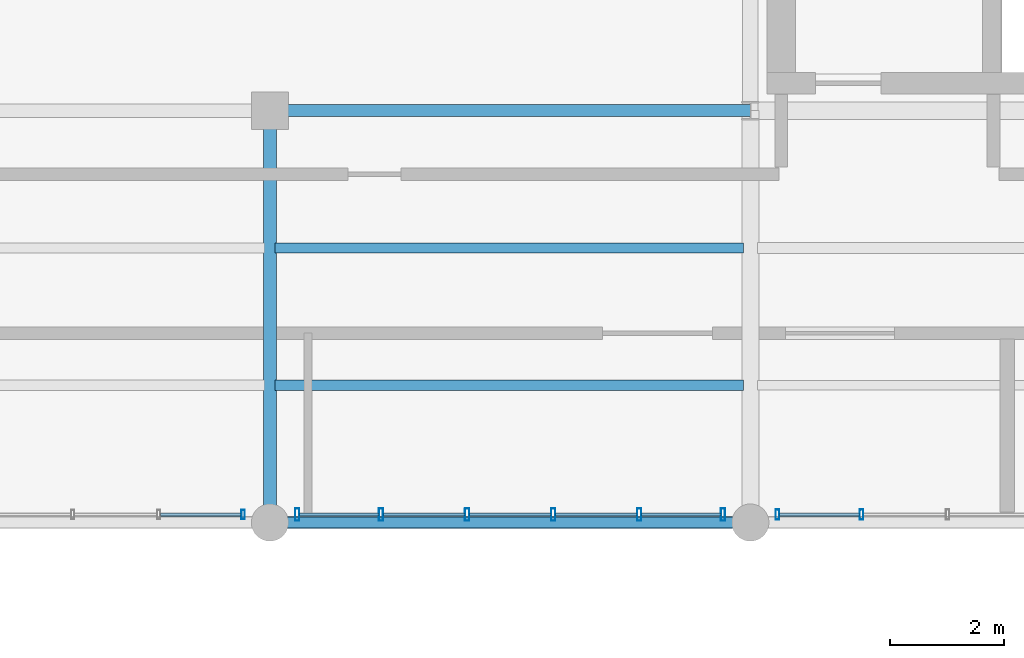
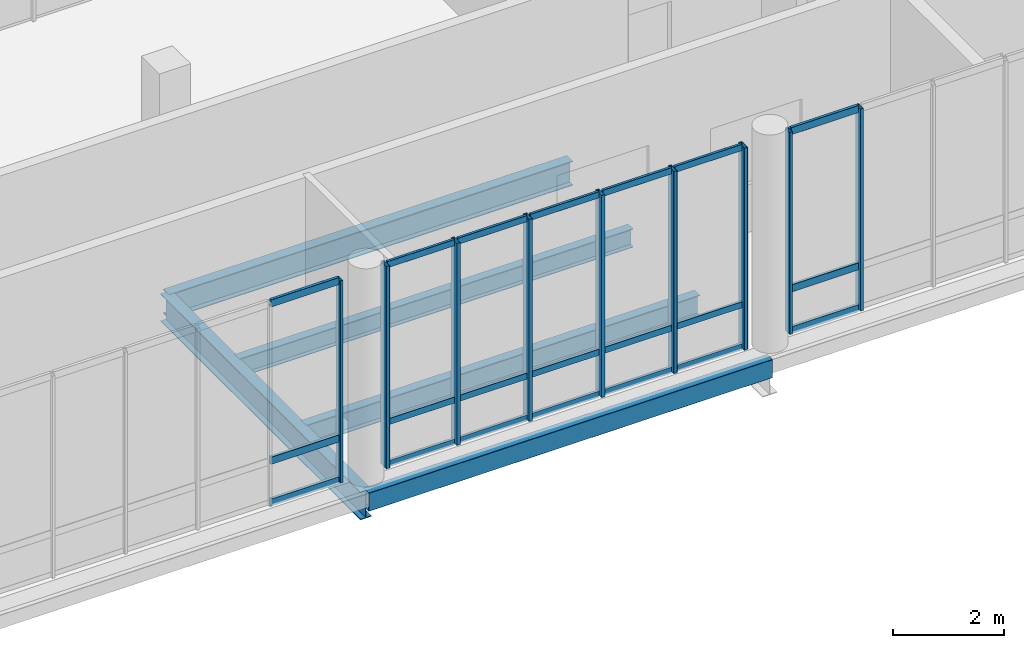
# One storey, part 31 of 81: 30 members, 5 beams, 3 elements without a shape of their own.
"""IFC4 building model written with IfcOpenShell, lengths in metres."""

from ifc_helpers import new_model, si_unit, direction, frame, origin_with_axes, origin_2d_with_axis, place, context, subcontext, project, spatial, hollow_rectangle, i_section, extrude, material, material_profile, profile_set, type_object, element, aggregate, save


model = new_model("IFC4")

# Units and contexts
model_context = context("Model", 3, precision=1e-05, world=origin_with_axes(), true_north=direction((0.0, 1.0)))
body_context = subcontext(model_context, "Body", "Model", "MODEL_VIEW")
ifc_project = project(units=[si_unit("LENGTHUNIT", "METRE"), si_unit("AREAUNIT", "SQUARE_METRE"), si_unit("VOLUMEUNIT", "CUBIC_METRE"), si_unit("PLANEANGLEUNIT", "RADIAN"), si_unit("MASSUNIT", "GRAM", prefix="KILO"), si_unit("THERMODYNAMICTEMPERATUREUNIT", "KELVIN")], contexts=[model_context])

# Site, building, storey
site_placement = place(None, origin_with_axes())
site = spatial("IfcSite", under=ifc_project, at=site_placement, CompositionType="ELEMENT")
building_placement = place(site_placement, origin_with_axes())
building = spatial("IfcBuilding", under=site, at=building_placement, Name="Montbau Bow Law Courts", CompositionType="ELEMENT")
storey_placement = place(building_placement, frame((0.0, 0.0, 24.9), z_axis=(0.0, 0.0, 1.0), x_axis=(1.0, 0.0, 0.0)))
storey = spatial("IfcBuildingStorey", under=building, at=storey_placement, Name="L05", CompositionType="ELEMENT", Elevation=24.9)

# Beams
ifc_material_1 = material(Name="Steel CSA G40.21 Grade 350W (350 MPa)", Category="steel")
ifc_material_profile_1 = material_profile(ifc_material_1, i_section(OverallWidth=0.229, OverallDepth=0.612, WebThickness=0.0119, FlangeThickness=0.0196, at=origin_2d_with_axis()), Name="W610X125", Category="Main", Priority=0)
ifc_profile_set_1 = profile_set([ifc_material_profile_1], Name="Steel CSA G40.21 Grade 350W (350 MPa)")
beam_type_1 = type_object("IfcBeamType", Name="B-FLR-05", PredefinedType="BEAM", material=ifc_profile_set_1)
beam_1_placement = place(None, frame((72.0, 39.0, 24.294), z_axis=(0.0, 1.0, 0.0), x_axis=(-1.0, 0.0, 0.0)))
element("IfcBeam", 1, at=beam_1_placement, inside=storey, type_object=beam_type_1, Name="BM-L05-S0986:bm2_0989", PredefinedType="BEAM", context=body_context, shape_type="SweptSolid", body=[
    extrude(i_section(OverallWidth=0.229, OverallDepth=0.612, WebThickness=0.0119, FlangeThickness=0.0196, at=origin_2d_with_axis()), origin_with_axes(), (0.0, 0.0, 1.0), 7.2),
])
ifc_material_profile_2 = material_profile(ifc_material_1, i_section(OverallWidth=0.21, OverallDepth=0.537, WebThickness=0.0109, FlangeThickness=0.0174, at=origin_2d_with_axis()), Name="W530X101", Category="Main", Priority=0)
ifc_profile_set_2 = profile_set([ifc_material_profile_2], Name="Steel CSA G40.21 Grade 350W (350 MPa)")
beam_type_2 = type_object("IfcBeamType", Name="B-FLR-06", PredefinedType="BEAM", material=ifc_profile_set_2)
beam_2_placement = place(None, frame((72.0, 46.2, 24.332), z_axis=(1.0, 0.0, 0.0), x_axis=(0.0, 1.0, 0.0)))
element("IfcBeam", 2, at=beam_2_placement, inside=storey, type_object=beam_type_2, Name="BM-L05-S0965:bm2_0968", PredefinedType="BEAM", context=body_context, shape_type="SweptSolid", body=[
    extrude(i_section(OverallWidth=0.21, OverallDepth=0.537, WebThickness=0.0109, FlangeThickness=0.0174, at=origin_2d_with_axis()), origin_with_axes(), (0.0, 0.0, 1.0), 8.4),
])
ifc_material_profile_3 = material_profile(ifc_material_1, i_section(OverallWidth=0.191, OverallDepth=0.46, WebThickness=0.0099, FlangeThickness=0.016, at=origin_2d_with_axis()), Name="W460X82", Category="Main", Priority=0)
ifc_profile_set_3 = profile_set([ifc_material_profile_3], Name="Steel CSA G40.21 Grade 350W (350 MPa)")
beam_type_3 = type_object("IfcBeamType", Name="B-JST-01", PredefinedType="JOIST", material=ifc_profile_set_3)
beam_3_placement = place(None, frame((72.091, 41.4, 24.37), z_axis=(1.0, 0.0, 0.0), x_axis=(0.0, 1.0, 0.0)))
element("IfcBeam", 3, at=beam_3_placement, inside=storey, type_object=beam_type_3, Name="JST-L05-S0500:jst2_0500", PredefinedType="JOIST", context=body_context, shape_type="SweptSolid", body=[
    extrude(i_section(OverallWidth=0.191, OverallDepth=0.46, WebThickness=0.0099, FlangeThickness=0.016, at=origin_2d_with_axis()), origin_with_axes(), (0.0, 0.0, 1.0), 8.187),
])
ifc_material_profile_4 = material_profile(ifc_material_1, i_section(OverallWidth=0.179, OverallDepth=0.41, WebThickness=0.0088, FlangeThickness=0.0144, at=origin_2d_with_axis()), Name="W410X67", Category="Main", Priority=0)
ifc_profile_set_4 = profile_set([ifc_material_profile_4], Name="Steel CSA G40.21 Grade 350W (350 MPa)")
beam_type_4 = type_object("IfcBeamType", Name="B-JST-02", PredefinedType="JOIST", material=ifc_profile_set_4)
beam_4_placement = place(None, frame((72.091, 43.8, 24.395), z_axis=(1.0, 0.0, 0.0), x_axis=(0.0, 1.0, 0.0)))
element("IfcBeam", 4, at=beam_4_placement, inside=storey, type_object=beam_type_4, Name="JST-L05-S0501:jst2_0501", PredefinedType="JOIST", context=body_context, shape_type="SweptSolid", body=[
    extrude(i_section(OverallWidth=0.179, OverallDepth=0.41, WebThickness=0.0088, FlangeThickness=0.0144, at=origin_2d_with_axis()), origin_with_axes(), (0.0, 0.0, 1.0), 8.187),
])
ifc_material_2 = material(Name="Steel CSA G40.21 Grade 350WT (350 MPa)", Category="steel")
ifc_material_profile_5 = material_profile(ifc_material_2, hollow_rectangle(XDim=0.203, YDim=0.406, WallThickness=0.0127, InnerFilletRadius=0.0254, OuterFilletRadius=0.0127, at=origin_2d_with_axis()), Name="HSS406X203X13", Category="Main", Priority=0)
ifc_profile_set_5 = profile_set([ifc_material_profile_5], Name="Steel CSA G40.21 Grade 350WT (350 MPa)")
beam_type_5 = type_object("IfcBeamType", Name="B-SPN-01", PredefinedType="SPANDREL", material=ifc_profile_set_5)
beam_5_placement = place(None, frame((72.0, 39.0, 24.397), z_axis=(1.0, 0.0, 0.0), x_axis=(0.0, 1.0, 0.0)))
element("IfcBeam", 5, at=beam_5_placement, inside=storey, type_object=beam_type_5, Name="SPN-L05-S0959:bm2_0962", PredefinedType="SPANDREL", context=body_context, shape_type="SweptSolid", body=[
    extrude(hollow_rectangle(XDim=0.203, YDim=0.406, WallThickness=0.0127, InnerFilletRadius=0.0254, OuterFilletRadius=0.0127, at=origin_2d_with_axis()), origin_with_axes(), (0.0, 0.0, 1.0), 8.4),
])

# Curtain wall, members
ifc_material_3 = material(Name="Thermally Broken Extruded Aluminium AA 6063-T6", Category="aluminium")
curtain_wall_type = type_object("IfcCurtainWallType", Name="CW-NCK-02", PredefinedType="NOTDEFINED", material=ifc_material_3)
curtain_wall_1_placement = place(None, frame((72.44, 39.14, 24.9), z_axis=(0.0, 0.0, 1.0), x_axis=(1.0, 0.0, 0.0)))
curtain_wall_1 = element("IfcCurtainWall", 6, at=curtain_wall_1_placement, inside=storey, type_object=curtain_wall_type, Name="CW-L05-213:cw_0213", PredefinedType="NOTDEFINED")
ifc_material_profile_6 = material_profile(ifc_material_3, hollow_rectangle(XDim=0.075, YDim=0.22, WallThickness=0.005, InnerFilletRadius=0.01, OuterFilletRadius=0.005, at=origin_2d_with_axis()), Name="CWM-220X75", Category="Main", Priority=0)
ifc_profile_set_6 = profile_set([ifc_material_profile_6], Name="Thermally Broken Extruded Aluminium AA 6063-T6")
member_type_1 = type_object("IfcMemberType", Name="M-MUL-01", PredefinedType="MULLION", material=ifc_profile_set_6)
member_1_placement = place(None, frame((72.477, 39.14, 24.9), z_axis=(0.0, 0.0, 1.0), x_axis=(1.0, 0.0, 0.0)))
member_1 = element("IfcMember", 7, at=member_1_placement, type_object=member_type_1, Name="CW-L05-213-M01:cw_0213_M01", PredefinedType="MULLION", context=body_context, shape_type="SweptSolid", body=[
    extrude(hollow_rectangle(XDim=0.075, YDim=0.22, WallThickness=0.005, InnerFilletRadius=0.01, OuterFilletRadius=0.005, at=origin_2d_with_axis()), origin_with_axes(), (0.0, 0.0, 1.0), 4.44),
])
member_2_placement = place(None, frame((73.944, 39.14, 24.9), z_axis=(0.0, 0.0, 1.0), x_axis=(1.0, 0.0, 0.0)))
member_2 = element("IfcMember", 8, at=member_2_placement, type_object=member_type_1, Name="CW-L05-213-M02:cw_0213_M02", PredefinedType="MULLION", context=body_context, shape_type="SweptSolid", body=[
    extrude(hollow_rectangle(XDim=0.075, YDim=0.22, WallThickness=0.005, InnerFilletRadius=0.01, OuterFilletRadius=0.005, at=origin_2d_with_axis()), origin_with_axes(), (0.0, 0.0, 1.0), 4.44),
])
member_3_placement = place(None, frame((75.448, 39.14, 24.9), z_axis=(0.0, 0.0, 1.0), x_axis=(1.0, 0.0, 0.0)))
member_3 = element("IfcMember", 9, at=member_3_placement, type_object=member_type_1, Name="CW-L05-213-M03:cw_0213_M03", PredefinedType="MULLION", context=body_context, shape_type="SweptSolid", body=[
    extrude(hollow_rectangle(XDim=0.075, YDim=0.22, WallThickness=0.005, InnerFilletRadius=0.01, OuterFilletRadius=0.005, at=origin_2d_with_axis()), origin_with_axes(), (0.0, 0.0, 1.0), 4.44),
])
member_4_placement = place(None, frame((76.952, 39.14, 24.9), z_axis=(0.0, 0.0, 1.0), x_axis=(1.0, 0.0, 0.0)))
member_4 = element("IfcMember", 10, at=member_4_placement, type_object=member_type_1, Name="CW-L05-213-M04:cw_0213_M04", PredefinedType="MULLION", context=body_context, shape_type="SweptSolid", body=[
    extrude(hollow_rectangle(XDim=0.075, YDim=0.22, WallThickness=0.005, InnerFilletRadius=0.01, OuterFilletRadius=0.005, at=origin_2d_with_axis()), origin_with_axes(), (0.0, 0.0, 1.0), 4.44),
])
member_5_placement = place(None, frame((78.456, 39.14, 24.9), z_axis=(0.0, 0.0, 1.0), x_axis=(1.0, 0.0, 0.0)))
member_5 = element("IfcMember", 11, at=member_5_placement, type_object=member_type_1, Name="CW-L05-213-M05:cw_0213_M05", PredefinedType="MULLION", context=body_context, shape_type="SweptSolid", body=[
    extrude(hollow_rectangle(XDim=0.075, YDim=0.22, WallThickness=0.005, InnerFilletRadius=0.01, OuterFilletRadius=0.005, at=origin_2d_with_axis()), origin_with_axes(), (0.0, 0.0, 1.0), 4.44),
])
member_6_placement = place(None, frame((79.922, 39.14, 24.9), z_axis=(0.0, 0.0, 1.0), x_axis=(1.0, 0.0, 0.0)))
member_6 = element("IfcMember", 12, at=member_6_placement, type_object=member_type_1, Name="CW-L05-213-M06:cw_0213_M06", PredefinedType="MULLION", context=body_context, shape_type="SweptSolid", body=[
    extrude(hollow_rectangle(XDim=0.075, YDim=0.22, WallThickness=0.005, InnerFilletRadius=0.01, OuterFilletRadius=0.005, at=origin_2d_with_axis()), origin_with_axes(), (0.0, 0.0, 1.0), 4.44),
])

curtain_wall_2_placement = place(None, frame((80.84, 39.14, 24.9), z_axis=(0.0, 0.0, 1.0), x_axis=(1.0, 0.0, 0.0)))
curtain_wall_2 = element("IfcCurtainWall", 13, at=curtain_wall_2_placement, inside=storey, type_object=curtain_wall_type, Name="CW-L05-214:cw_0214", PredefinedType="NOTDEFINED")
ifc_material_profile_7 = material_profile(ifc_material_3, hollow_rectangle(XDim=0.065, YDim=0.18, WallThickness=0.005, InnerFilletRadius=0.01, OuterFilletRadius=0.005, at=origin_2d_with_axis()), Name="CWM-180X65", Category="Main", Priority=0)
ifc_profile_set_7 = profile_set([ifc_material_profile_7], Name="Thermally Broken Extruded Aluminium AA 6063-T6")
member_type_2 = type_object("IfcMemberType", Name="M-MUL-02", PredefinedType="MULLION", material=ifc_profile_set_7)
member_7_placement = place(None, frame((80.873, 39.14, 24.9), z_axis=(0.0, 0.0, 1.0), x_axis=(1.0, 0.0, 0.0)))
member_7 = element("IfcMember", 14, at=member_7_placement, type_object=member_type_2, Name="CW-L05-214-M01:cw_0214_M01", PredefinedType="MULLION", context=body_context, shape_type="SweptSolid", body=[
    extrude(hollow_rectangle(XDim=0.065, YDim=0.18, WallThickness=0.005, InnerFilletRadius=0.01, OuterFilletRadius=0.005, at=origin_2d_with_axis()), origin_with_axes(), (0.0, 0.0, 1.0), 4.44),
])
member_8_placement = place(None, frame((82.344, 39.14, 24.9), z_axis=(0.0, 0.0, 1.0), x_axis=(1.0, 0.0, 0.0)))
member_8 = element("IfcMember", 15, at=member_8_placement, type_object=member_type_2, Name="CW-L05-214-M02:cw_0214_M02", PredefinedType="MULLION", context=body_context, shape_type="SweptSolid", body=[
    extrude(hollow_rectangle(XDim=0.065, YDim=0.18, WallThickness=0.005, InnerFilletRadius=0.01, OuterFilletRadius=0.005, at=origin_2d_with_axis()), origin_with_axes(), (0.0, 0.0, 1.0), 4.44),
])

curtain_wall_3_placement = place(None, frame((64.04, 39.14, 24.9), z_axis=(0.0, 0.0, 1.0), x_axis=(1.0, 0.0, 0.0)))
curtain_wall_3 = element("IfcCurtainWall", 16, at=curtain_wall_3_placement, inside=storey, type_object=curtain_wall_type, Name="CW-L05-212:cw_0212", PredefinedType="NOTDEFINED")
ifc_material_profile_8 = material_profile(ifc_material_3, hollow_rectangle(XDim=0.06, YDim=0.16, WallThickness=0.004, InnerFilletRadius=0.008, OuterFilletRadius=0.004, at=origin_2d_with_axis()), Name="CWM-160X60", Category="Main", Priority=0)
ifc_profile_set_8 = profile_set([ifc_material_profile_8], Name="Thermally Broken Extruded Aluminium AA 6063-T6")
member_type_3 = type_object("IfcMemberType", Name="M-MUL-03", PredefinedType="MULLION", material=ifc_profile_set_8)
member_9_placement = place(None, frame((71.53, 39.14, 24.9), z_axis=(0.0, 0.0, 1.0), x_axis=(1.0, 0.0, 0.0)))
member_9 = element("IfcMember", 17, at=member_9_placement, type_object=member_type_3, Name="CW-L05-212-M06:cw_0212_M06", PredefinedType="MULLION", context=body_context, shape_type="SweptSolid", body=[
    extrude(hollow_rectangle(XDim=0.06, YDim=0.16, WallThickness=0.004, InnerFilletRadius=0.008, OuterFilletRadius=0.004, at=origin_2d_with_axis()), origin_with_axes(), (0.0, 0.0, 1.0), 4.44),
])
ifc_material_profile_9 = material_profile(ifc_material_3, hollow_rectangle(XDim=0.06, YDim=0.16, WallThickness=0.004, InnerFilletRadius=0.008, OuterFilletRadius=0.004, at=origin_2d_with_axis()), Name="CWT-160X60", Category="Main", Priority=0)
ifc_profile_set_9 = profile_set([ifc_material_profile_9], Name="Thermally Broken Extruded Aluminium AA 6063-T6")
member_type_4 = type_object("IfcMemberType", Name="M-TRN-01", PredefinedType="USERDEFINED", material=ifc_profile_set_9)
member_10_placement = place(None, frame((70.088, 39.14, 24.93), z_axis=(1.0, 0.0, 0.0), x_axis=(0.0, 1.0, 0.0)))
member_10 = element("IfcMember", 18, at=member_10_placement, type_object=member_type_4, Name="CW-L05-212-T05-1:cw_0212_T05_1", ObjectType="TRANSOM", PredefinedType="USERDEFINED", context=body_context, shape_type="SweptSolid", body=[
    extrude(hollow_rectangle(XDim=0.06, YDim=0.16, WallThickness=0.004, InnerFilletRadius=0.008, OuterFilletRadius=0.004, at=origin_2d_with_axis()), origin_with_axes(), (0.0, 0.0, 1.0), 1.41),
])
member_11_placement = place(None, frame((70.088, 39.14, 25.85), z_axis=(1.0, 0.0, 0.0), x_axis=(0.0, 1.0, 0.0)))
member_11 = element("IfcMember", 19, at=member_11_placement, type_object=member_type_4, Name="CW-L05-212-T05-2:cw_0212_T05_2", ObjectType="TRANSOM", PredefinedType="USERDEFINED", context=body_context, shape_type="SweptSolid", body=[
    extrude(hollow_rectangle(XDim=0.06, YDim=0.16, WallThickness=0.004, InnerFilletRadius=0.008, OuterFilletRadius=0.004, at=origin_2d_with_axis()), origin_with_axes(), (0.0, 0.0, 1.0), 1.41),
])
member_12_placement = place(None, frame((70.088, 39.14, 29.31), z_axis=(1.0, 0.0, 0.0), x_axis=(0.0, 1.0, 0.0)))
member_12 = element("IfcMember", 20, at=member_12_placement, type_object=member_type_4, Name="CW-L05-212-T05-3:cw_0212_T05_3", ObjectType="TRANSOM", PredefinedType="USERDEFINED", context=body_context, shape_type="SweptSolid", body=[
    extrude(hollow_rectangle(XDim=0.06, YDim=0.16, WallThickness=0.004, InnerFilletRadius=0.008, OuterFilletRadius=0.004, at=origin_2d_with_axis()), origin_with_axes(), (0.0, 0.0, 1.0), 1.41),
])
aggregate(curtain_wall_3, [member_9, member_10, member_11, member_12])

# Member
member_13_placement = place(None, frame((80.908, 39.14, 24.93), z_axis=(1.0, 0.0, 0.0), x_axis=(0.0, 1.0, 0.0)))
member_13 = element("IfcMember", 21, at=member_13_placement, type_object=member_type_4, Name="CW-L05-214-T01-1:cw_0214_T01_1", ObjectType="TRANSOM", PredefinedType="USERDEFINED", context=body_context, shape_type="SweptSolid", body=[
    extrude(hollow_rectangle(XDim=0.06, YDim=0.16, WallThickness=0.004, InnerFilletRadius=0.008, OuterFilletRadius=0.004, at=origin_2d_with_axis()), origin_with_axes(), (0.0, 0.0, 1.0), 1.402),
])

member_14_placement = place(None, frame((80.908, 39.14, 25.85), z_axis=(1.0, 0.0, 0.0), x_axis=(0.0, 1.0, 0.0)))
member_14 = element("IfcMember", 22, at=member_14_placement, type_object=member_type_4, Name="CW-L05-214-T01-2:cw_0214_T01_2", ObjectType="TRANSOM", PredefinedType="USERDEFINED", context=body_context, shape_type="SweptSolid", body=[
    extrude(hollow_rectangle(XDim=0.06, YDim=0.16, WallThickness=0.004, InnerFilletRadius=0.008, OuterFilletRadius=0.004, at=origin_2d_with_axis()), origin_with_axes(), (0.0, 0.0, 1.0), 1.402),
])

member_15_placement = place(None, frame((80.908, 39.14, 29.31), z_axis=(1.0, 0.0, 0.0), x_axis=(0.0, 1.0, 0.0)))
member_15 = element("IfcMember", 23, at=member_15_placement, type_object=member_type_4, Name="CW-L05-214-T01-3:cw_0214_T01_3", ObjectType="TRANSOM", PredefinedType="USERDEFINED", context=body_context, shape_type="SweptSolid", body=[
    extrude(hollow_rectangle(XDim=0.06, YDim=0.16, WallThickness=0.004, InnerFilletRadius=0.008, OuterFilletRadius=0.004, at=origin_2d_with_axis()), origin_with_axes(), (0.0, 0.0, 1.0), 1.402),
])

aggregate(curtain_wall_2, [member_7, member_8, member_13, member_14, member_15])

ifc_material_profile_10 = material_profile(ifc_material_3, hollow_rectangle(XDim=0.055, YDim=0.14, WallThickness=0.004, InnerFilletRadius=0.008, OuterFilletRadius=0.004, at=origin_2d_with_axis()), Name="CWT-140X55", Category="Main", Priority=0)
ifc_profile_set_10 = profile_set([ifc_material_profile_10], Name="Thermally Broken Extruded Aluminium AA 6063-T6")
member_type_5 = type_object("IfcMemberType", Name="M-TRN-02", PredefinedType="USERDEFINED", material=ifc_profile_set_10)
member_16_placement = place(None, frame((72.516, 39.14, 24.927), z_axis=(1.0, 0.0, 0.0), x_axis=(0.0, 1.0, 0.0)))
member_16 = element("IfcMember", 24, at=member_16_placement, type_object=member_type_5, Name="CW-L05-213-T01-1:cw_0213_T01_1", ObjectType="TRANSOM", PredefinedType="USERDEFINED", context=body_context, shape_type="SweptSolid", body=[
    extrude(hollow_rectangle(XDim=0.055, YDim=0.14, WallThickness=0.004, InnerFilletRadius=0.008, OuterFilletRadius=0.004, at=origin_2d_with_axis()), origin_with_axes(), (0.0, 0.0, 1.0), 1.388),
])

member_17_placement = place(None, frame((72.516, 39.14, 25.85), z_axis=(1.0, 0.0, 0.0), x_axis=(0.0, 1.0, 0.0)))
member_17 = element("IfcMember", 25, at=member_17_placement, type_object=member_type_5, Name="CW-L05-213-T01-2:cw_0213_T01_2", ObjectType="TRANSOM", PredefinedType="USERDEFINED", context=body_context, shape_type="SweptSolid", body=[
    extrude(hollow_rectangle(XDim=0.055, YDim=0.14, WallThickness=0.004, InnerFilletRadius=0.008, OuterFilletRadius=0.004, at=origin_2d_with_axis()), origin_with_axes(), (0.0, 0.0, 1.0), 1.388),
])

member_18_placement = place(None, frame((72.516, 39.14, 29.312), z_axis=(1.0, 0.0, 0.0), x_axis=(0.0, 1.0, 0.0)))
member_18 = element("IfcMember", 26, at=member_18_placement, type_object=member_type_5, Name="CW-L05-213-T01-3:cw_0213_T01_3", ObjectType="TRANSOM", PredefinedType="USERDEFINED", context=body_context, shape_type="SweptSolid", body=[
    extrude(hollow_rectangle(XDim=0.055, YDim=0.14, WallThickness=0.004, InnerFilletRadius=0.008, OuterFilletRadius=0.004, at=origin_2d_with_axis()), origin_with_axes(), (0.0, 0.0, 1.0), 1.388),
])

member_19_placement = place(None, frame((73.984, 39.14, 24.927), z_axis=(1.0, 0.0, 0.0), x_axis=(0.0, 1.0, 0.0)))
member_19 = element("IfcMember", 27, at=member_19_placement, type_object=member_type_5, Name="CW-L05-213-T02-1:cw_0213_T02_1", ObjectType="TRANSOM", PredefinedType="USERDEFINED", context=body_context, shape_type="SweptSolid", body=[
    extrude(hollow_rectangle(XDim=0.055, YDim=0.14, WallThickness=0.004, InnerFilletRadius=0.008, OuterFilletRadius=0.004, at=origin_2d_with_axis()), origin_with_axes(), (0.0, 0.0, 1.0), 1.425),
])

member_20_placement = place(None, frame((73.984, 39.14, 25.85), z_axis=(1.0, 0.0, 0.0), x_axis=(0.0, 1.0, 0.0)))
member_20 = element("IfcMember", 28, at=member_20_placement, type_object=member_type_5, Name="CW-L05-213-T02-2:cw_0213_T02_2", ObjectType="TRANSOM", PredefinedType="USERDEFINED", context=body_context, shape_type="SweptSolid", body=[
    extrude(hollow_rectangle(XDim=0.055, YDim=0.14, WallThickness=0.004, InnerFilletRadius=0.008, OuterFilletRadius=0.004, at=origin_2d_with_axis()), origin_with_axes(), (0.0, 0.0, 1.0), 1.425),
])

member_21_placement = place(None, frame((73.984, 39.14, 29.312), z_axis=(1.0, 0.0, 0.0), x_axis=(0.0, 1.0, 0.0)))
member_21 = element("IfcMember", 29, at=member_21_placement, type_object=member_type_5, Name="CW-L05-213-T02-3:cw_0213_T02_3", ObjectType="TRANSOM", PredefinedType="USERDEFINED", context=body_context, shape_type="SweptSolid", body=[
    extrude(hollow_rectangle(XDim=0.055, YDim=0.14, WallThickness=0.004, InnerFilletRadius=0.008, OuterFilletRadius=0.004, at=origin_2d_with_axis()), origin_with_axes(), (0.0, 0.0, 1.0), 1.425),
])

member_22_placement = place(None, frame((75.487, 39.14, 24.927), z_axis=(1.0, 0.0, 0.0), x_axis=(0.0, 1.0, 0.0)))
member_22 = element("IfcMember", 30, at=member_22_placement, type_object=member_type_5, Name="CW-L05-213-T03-1:cw_0213_T03_1", ObjectType="TRANSOM", PredefinedType="USERDEFINED", context=body_context, shape_type="SweptSolid", body=[
    extrude(hollow_rectangle(XDim=0.055, YDim=0.14, WallThickness=0.004, InnerFilletRadius=0.008, OuterFilletRadius=0.004, at=origin_2d_with_axis()), origin_with_axes(), (0.0, 0.0, 1.0), 1.426),
])

member_23_placement = place(None, frame((75.487, 39.14, 25.85), z_axis=(1.0, 0.0, 0.0), x_axis=(0.0, 1.0, 0.0)))
member_23 = element("IfcMember", 31, at=member_23_placement, type_object=member_type_5, Name="CW-L05-213-T03-2:cw_0213_T03_2", ObjectType="TRANSOM", PredefinedType="USERDEFINED", context=body_context, shape_type="SweptSolid", body=[
    extrude(hollow_rectangle(XDim=0.055, YDim=0.14, WallThickness=0.004, InnerFilletRadius=0.008, OuterFilletRadius=0.004, at=origin_2d_with_axis()), origin_with_axes(), (0.0, 0.0, 1.0), 1.426),
])

member_24_placement = place(None, frame((75.487, 39.14, 29.312), z_axis=(1.0, 0.0, 0.0), x_axis=(0.0, 1.0, 0.0)))
member_24 = element("IfcMember", 32, at=member_24_placement, type_object=member_type_5, Name="CW-L05-213-T03-3:cw_0213_T03_3", ObjectType="TRANSOM", PredefinedType="USERDEFINED", context=body_context, shape_type="SweptSolid", body=[
    extrude(hollow_rectangle(XDim=0.055, YDim=0.14, WallThickness=0.004, InnerFilletRadius=0.008, OuterFilletRadius=0.004, at=origin_2d_with_axis()), origin_with_axes(), (0.0, 0.0, 1.0), 1.426),
])

member_25_placement = place(None, frame((76.991, 39.14, 24.927), z_axis=(1.0, 0.0, 0.0), x_axis=(0.0, 1.0, 0.0)))
member_25 = element("IfcMember", 33, at=member_25_placement, type_object=member_type_5, Name="CW-L05-213-T04-1:cw_0213_T04_1", ObjectType="TRANSOM", PredefinedType="USERDEFINED", context=body_context, shape_type="SweptSolid", body=[
    extrude(hollow_rectangle(XDim=0.055, YDim=0.14, WallThickness=0.004, InnerFilletRadius=0.008, OuterFilletRadius=0.004, at=origin_2d_with_axis()), origin_with_axes(), (0.0, 0.0, 1.0), 1.426),
])

member_26_placement = place(None, frame((76.991, 39.14, 25.85), z_axis=(1.0, 0.0, 0.0), x_axis=(0.0, 1.0, 0.0)))
member_26 = element("IfcMember", 34, at=member_26_placement, type_object=member_type_5, Name="CW-L05-213-T04-2:cw_0213_T04_2", ObjectType="TRANSOM", PredefinedType="USERDEFINED", context=body_context, shape_type="SweptSolid", body=[
    extrude(hollow_rectangle(XDim=0.055, YDim=0.14, WallThickness=0.004, InnerFilletRadius=0.008, OuterFilletRadius=0.004, at=origin_2d_with_axis()), origin_with_axes(), (0.0, 0.0, 1.0), 1.426),
])

member_27_placement = place(None, frame((76.991, 39.14, 29.312), z_axis=(1.0, 0.0, 0.0), x_axis=(0.0, 1.0, 0.0)))
member_27 = element("IfcMember", 35, at=member_27_placement, type_object=member_type_5, Name="CW-L05-213-T04-3:cw_0213_T04_3", ObjectType="TRANSOM", PredefinedType="USERDEFINED", context=body_context, shape_type="SweptSolid", body=[
    extrude(hollow_rectangle(XDim=0.055, YDim=0.14, WallThickness=0.004, InnerFilletRadius=0.008, OuterFilletRadius=0.004, at=origin_2d_with_axis()), origin_with_axes(), (0.0, 0.0, 1.0), 1.426),
])

member_28_placement = place(None, frame((78.495, 39.14, 24.927), z_axis=(1.0, 0.0, 0.0), x_axis=(0.0, 1.0, 0.0)))
member_28 = element("IfcMember", 36, at=member_28_placement, type_object=member_type_5, Name="CW-L05-213-T05-1:cw_0213_T05_1", ObjectType="TRANSOM", PredefinedType="USERDEFINED", context=body_context, shape_type="SweptSolid", body=[
    extrude(hollow_rectangle(XDim=0.055, YDim=0.14, WallThickness=0.004, InnerFilletRadius=0.008, OuterFilletRadius=0.004, at=origin_2d_with_axis()), origin_with_axes(), (0.0, 0.0, 1.0), 1.388),
])

member_29_placement = place(None, frame((78.495, 39.14, 25.85), z_axis=(1.0, 0.0, 0.0), x_axis=(0.0, 1.0, 0.0)))
member_29 = element("IfcMember", 37, at=member_29_placement, type_object=member_type_5, Name="CW-L05-213-T05-2:cw_0213_T05_2", ObjectType="TRANSOM", PredefinedType="USERDEFINED", context=body_context, shape_type="SweptSolid", body=[
    extrude(hollow_rectangle(XDim=0.055, YDim=0.14, WallThickness=0.004, InnerFilletRadius=0.008, OuterFilletRadius=0.004, at=origin_2d_with_axis()), origin_with_axes(), (0.0, 0.0, 1.0), 1.388),
])

member_30_placement = place(None, frame((78.495, 39.14, 29.312), z_axis=(1.0, 0.0, 0.0), x_axis=(0.0, 1.0, 0.0)))
member_30 = element("IfcMember", 38, at=member_30_placement, type_object=member_type_5, Name="CW-L05-213-T05-3:cw_0213_T05_3", ObjectType="TRANSOM", PredefinedType="USERDEFINED", context=body_context, shape_type="SweptSolid", body=[
    extrude(hollow_rectangle(XDim=0.055, YDim=0.14, WallThickness=0.004, InnerFilletRadius=0.008, OuterFilletRadius=0.004, at=origin_2d_with_axis()), origin_with_axes(), (0.0, 0.0, 1.0), 1.388),
])

aggregate(curtain_wall_1, [member_1, member_2, member_3, member_4, member_5, member_6, member_16, member_17, member_18, member_19, member_20, member_21, member_22, member_23, member_24, member_25, member_26, member_27, member_28, member_29, member_30])

save(model, "model.ifc")
